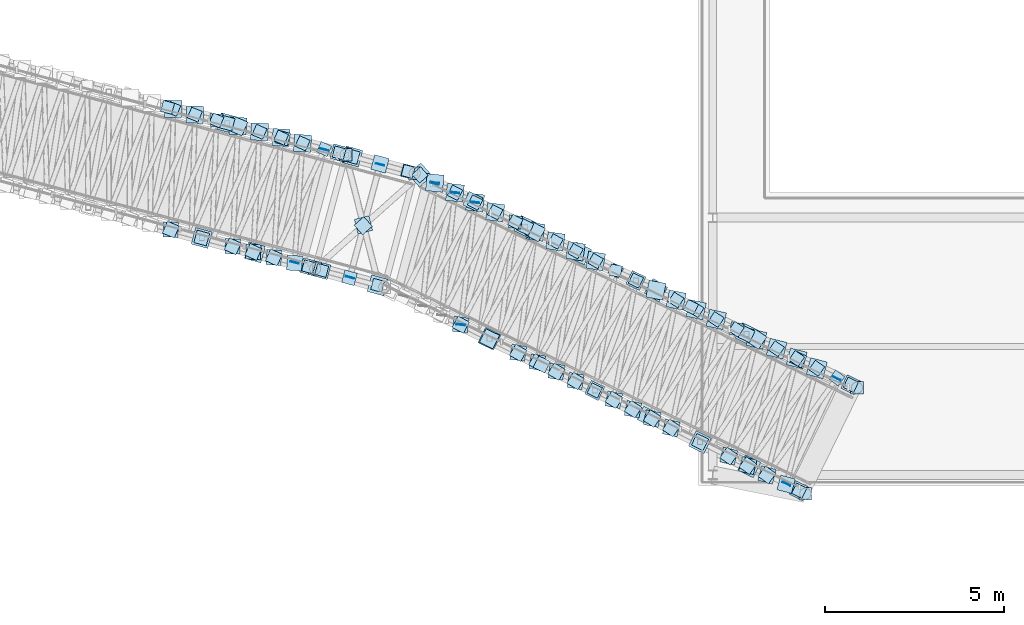
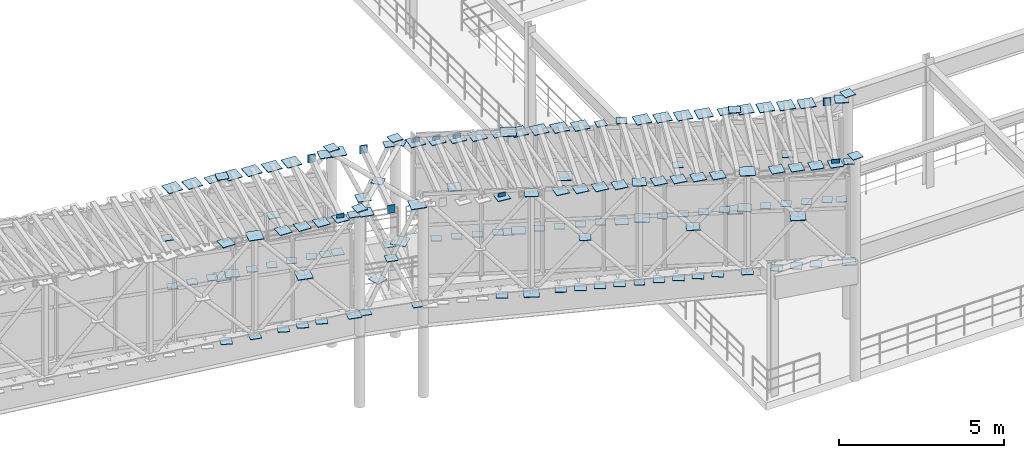
# One storey, part 100 of 144: 151 plates.
"""IFC4 building model written with IfcOpenShell, lengths in metres."""

from ifc_helpers import new_model, si_unit, direction, frame, origin, origin_2d, place, context, subcontext, project, spatial, rectangle, extrude, material, layer, layer_set, type_object, element, save


model = new_model("IFC4")

# Units and contexts
model_context = context("Model", 3, precision=1e-05, world=origin(), true_north=direction((0.0, 1.0)))
body_context = subcontext(model_context, "Body", "Model", "MODEL_VIEW")
ifc_project = project(units=[si_unit("LENGTHUNIT", "METRE"), si_unit("AREAUNIT", "SQUARE_METRE"), si_unit("VOLUMEUNIT", "CUBIC_METRE"), si_unit("PLANEANGLEUNIT", "RADIAN"), si_unit("MASSUNIT", "GRAM", prefix="KILO")], contexts=[model_context])

# Site, building, storey
site_placement = place(None, origin())
site = spatial("IfcSite", under=ifc_project, at=site_placement, CompositionType="ELEMENT")
building_placement = place(site_placement, origin())
building = spatial("IfcBuilding", under=site, at=building_placement, Name="Cinderbank Siding Concert Hall", CompositionType="ELEMENT")
storey_placement = place(building_placement, frame((0.0, 0.0, 5.39990234375)))
storey = spatial("IfcBuildingStorey", under=building, at=storey_placement, Name="L02", CompositionType="ELEMENT", Elevation=5.39990234375)

# Plates
ifc_material = material(Name="Structural steel welded plate section AS/NZS 3679.2 / AS/NZS 3678 Grade 350 (340 MPa)", Category="steel")
ifc_layer_1 = layer(ifc_material, 0.02490234375)
ifc_layer_set_1 = layer_set([ifc_layer_1], Name="Structural steel welded plate section AS/NZS 3679.2 / AS/NZS 3678 Grade 350 (340 MPa)")
plate_type_1 = type_object("IfcPlateType", Name="GP-01 Steel Gusset Cap Plate 480x480x25", PredefinedType="SHEET", material=ifc_layer_set_1)
for number, where, z_axis, x_axis, name in (
    (1, (104.811767578125, 98.443359375, 3.1376953125), (0.0, 0.0, 1.0), (0.966376079321, -0.257132793155, 0.0), "L02 Steel Node Gusset Plate GP-01 #440"),
    (2, (104.09912109375, 95.23095703125, 6.837646484375), (0.0, 0.0, 1.0), (0.965427149561, -0.260673011437, 0.0), "L02 Steel Node Gusset Plate GP-01 #452"),
    (3, (105.585205078125, 94.829833984375, 5.112060546875), (0.0, 0.0, 1.0), (0.965427149561, -0.260673011437, 0.0), "L02 Steel Node Gusset Plate GP-01 #456"),
    (4, (103.304443359375, 98.84423828125, 6.698486328125), (0.0, 0.0, 1.0), (-0.020942419883, -0.999780683475, 0.0), "L02 Steel Node Gusset Plate GP-01 #504"),
    (5, (103.9072265625, 98.683837890625, 6.7421875), (0.0, 0.0, 1.0), (-0.028619491372, -0.999590378462, 0.0), "L02 Steel Node Gusset Plate GP-01 #508"),
    (6, (105.11328125, 98.363037109375, 6.829345703125), (0.0, 0.0, 1.0), (-0.043968118318, -0.999032934678, 0.0), "L02 Steel Node Gusset Plate GP-01 #512"),
    (7, (105.71630859375, 98.20263671875, 6.873046875), (0.0, 0.0, 1.0), (-0.05163876861, -0.998665828782, 0.0), "L02 Steel Node Gusset Plate GP-01 #516"),
    (8, (106.319091796875, 98.042236328125, 6.916748046875), (0.0, 0.0, 1.0), (-0.059306373576, -0.998239827924, 0.0), "L02 Steel Node Gusset Plate GP-01 #520"),
    (9, (106.922119140625, 97.8818359375, 6.96044921875), (0.0, 0.0, 1.0), (-0.067144621099, -0.997743253476, 0.0), "L02 Steel Node Gusset Plate GP-01 #524"),
    (10, (108.3115234375, 97.511962890625, 7.07763671875), (0.0, 0.0, 1.0), (0.96601611233, -0.258481857621, 0.0), "L02 Steel Node Gusset Plate GP-01 #528"),
    (11, (109.0224609375, 93.9052734375, 7.07763671875), (0.0, 0.0, 1.0), (0.965880639132, -0.25898762702, 0.0), "L02 Steel Node Gusset Plate GP-01 #532"),
    (12, (110.210693359375, 96.99560546875, 3.427734375), (0.0, 0.0, 1.0), (0.745941145424, 0.666011867434, 0.0), "L02 Steel Node Gusset Plate GP-01 #536"),
    (13, (113.154052734375, 95.543212890625, 7.317626953125), (0.0, 0.0, 1.0), (0.899710196736, -0.436487756861, 0.0), "L02 Steel Node Gusset Plate GP-01 #540"),
    (14, (114.69140625, 94.797607421875, 5.59814453125), (0.0, 0.0, 1.0), (0.899710196736, -0.436487756861, 0.0), "L02 Steel Node Gusset Plate GP-01 #544"),
    (15, (119.342041015625, 92.541748046875, 4.09765625), (0.0, 0.0, 1.0), (0.899710196736, -0.436487756861, 0.0), "L02 Steel Node Gusset Plate GP-01 #548"),
    (16, (112.15185546875, 92.41064453125, 3.61767578125), (0.0, 0.0, 1.0), (0.897797101061, -0.440409315668, 0.0), "L02 Steel Node Gusset Plate GP-01 #556"),
    (17, (118.043212890625, 89.520263671875, 7.797607421875), (0.0, 0.0, 1.0), (0.897797101061, -0.440409315668, 0.0), "L02 Steel Node Gusset Plate GP-01 #560"),
    (18, (119.421875, 88.843994140625, 6.072021484375), (0.0, 0.0, 1.0), (0.897797101061, -0.440409315668, 0.0), "L02 Steel Node Gusset Plate GP-01 #564"),
    (19, (110.62255859375, 96.77099609375, 7.09130859375), (0.0, 0.0, 1.0), (-0.099840745983, -0.995003429864, 0.0), "L02 Steel Node Gusset Plate GP-01 #568"),
    (20, (111.18505859375, 96.498291015625, 7.135009765625), (0.0, 0.0, 1.0), (-0.107825841986, -0.994169798274, 0.0), "L02 Steel Node Gusset Plate GP-01 #572"),
    (21, (111.74755859375, 96.225341796875, 7.178466796875), (0.0, 0.0, 1.0), (-0.115977344809, -0.993251859042, 0.0), "L02 Steel Node Gusset Plate GP-01 #576"),
    (22, (112.310302734375, 95.952392578125, 7.22216796875), (0.0, 0.0, 1.0), (-0.123947858395, -0.992288732375, 0.0), "L02 Steel Node Gusset Plate GP-01 #580"),
    (23, (113.435302734375, 95.40673828125, 7.309326171875), (0.0, 0.0, 1.0), (-0.140210030757, -0.990121784063, 0.0), "L02 Steel Node Gusset Plate GP-01 #584"),
    (24, (113.997802734375, 95.134033203125, 7.35302734375), (0.0, 0.0, 1.0), (-0.14832723834, -0.988938334967, 0.0), "L02 Steel Node Gusset Plate GP-01 #588"),
    (25, (114.560302734375, 94.861083984375, 7.396728515625), (0.0, 0.0, 1.0), (-0.15643446504, -0.987688340595, 0.0), "L02 Steel Node Gusset Plate GP-01 #592"),
    (26, (115.122802734375, 94.588134765625, 7.4404296875), (0.0, 0.0, 1.0), (-0.16470331719, -0.986343153931, 0.0), "L02 Steel Node Gusset Plate GP-01 #596"),
    (27, (116.810546875, 93.76953125, 3.93115234375), (0.0, 0.0, 1.0), (0.521307545528, 0.853368878608, 0.0), "L02 Steel Node Gusset Plate GP-01 #600"),
    (28, (116.810546875, 93.76953125, 7.5712890625), (0.0, 0.0, 1.0), (-0.189266824235, -0.98192569436, 0.0), "L02 Steel Node Gusset Plate GP-01 #604"),
    (29, (117.373046875, 93.496826171875, 7.614990234375), (0.0, 0.0, 1.0), (-0.197486247774, -0.980305657405, 0.0), "L02 Steel Node Gusset Plate GP-01 #608"),
    (30, (117.935546875, 93.223876953125, 7.658447265625), (0.0, 0.0, 1.0), (-0.205691811048, -0.978616819224, 0.0), "L02 Steel Node Gusset Plate GP-01 #612"),
    (31, (118.498291015625, 92.950927734375, 7.7021484375), (0.0, 0.0, 1.0), (-0.214053429014, -0.976821953852, 0.0), "L02 Steel Node Gusset Plate GP-01 #616"),
    (32, (119.623291015625, 92.4052734375, 7.78955078125), (0.0, 0.0, 1.0), (-0.230389426677, -0.973098510982, 0.0), "L02 Steel Node Gusset Plate GP-01 #620"),
    (33, (120.185791015625, 92.132568359375, 7.833251953125), (0.0, 0.0, 1.0), (-0.238702948851, -0.971092633177, 0.0), "L02 Steel Node Gusset Plate GP-01 #624"),
    (34, (120.748291015625, 91.859619140625, 7.876708984375), (0.0, 0.0, 1.0), (-0.246999012723, -0.969015731407, 0.0), "L02 Steel Node Gusset Plate GP-01 #628"),
    (35, (121.310791015625, 91.586669921875, 7.92041015625), (0.0, 0.0, 1.0), (-0.255108257352, -0.966912497091, 0.0), "L02 Steel Node Gusset Plate GP-01 #632"),
):
    element("IfcPlate", number, at=place(storey_placement, frame(where, z_axis=z_axis, x_axis=x_axis)), inside=storey, type_object=plate_type_1, Name=name, PredefinedType="SHEET", context=body_context, shape_type="SweptSolid", body=[
        extrude(rectangle(XDim=0.47998046875, YDim=0.47998046875, at=origin_2d()), origin(), (0.0, 0.0, 1.0), 0.02490234375),
    ])
ifc_layer_2 = layer(ifc_material, 0.02197265625)
ifc_layer_set_2 = layer_set([ifc_layer_2], Name="Structural steel welded plate section AS/NZS 3679.2 / AS/NZS 3678 Grade 350 (340 MPa)")
plate_type_2 = type_object("IfcPlateType", Name="GP-02 Steel Gusset Cap Plate 420x420x22", PredefinedType="SHEET", material=ifc_layer_set_2)
for number, where, z_axis, x_axis, name in (
    (36, (107.9443359375, 97.60986328125, 7.06591796875), (0.0, 0.0, 1.0), (0.966376079321, -0.257132793155, 0.0), "L02 Steel Node Gusset Plate GP-02 #441"),
    (37, (107.090576171875, 94.423583984375, 3.365234375), (0.0, 0.0, 1.0), (0.965427149561, -0.260673011437, 0.0), "L02 Steel Node Gusset Plate GP-02 #457"),
    (38, (103.2333984375, 95.464599609375, 6.74365234375), (0.0, 0.0, 1.0), (-0.020942419883, -0.999780683475, 0.0), "L02 Steel Node Gusset Plate GP-02 #505"),
    (39, (105.11328125, 98.363037109375, 3.19091796875), (0.0, 0.0, 1.0), (0.392337116604, 0.919821497322, 0.0), "L02 Steel Node Gusset Plate GP-02 #509"),
    (40, (104.965087890625, 94.997314453125, 6.87451171875), (0.0, 0.0, 1.0), (-0.043968118318, -0.999032934678, 0.0), "L02 Steel Node Gusset Plate GP-02 #513"),
    (41, (105.542236328125, 94.841552734375, 6.918212890625), (0.0, 0.0, 1.0), (-0.05163876861, -0.998665828782, 0.0), "L02 Steel Node Gusset Plate GP-02 #517"),
    (42, (106.119384765625, 94.685546875, 6.9619140625), (0.0, 0.0, 1.0), (-0.059306373576, -0.998239827924, 0.0), "L02 Steel Node Gusset Plate GP-02 #521"),
    (43, (106.69677734375, 94.52978515625, 7.005615234375), (0.0, 0.0, 1.0), (-0.067144621099, -0.997743253476, 0.0), "L02 Steel Node Gusset Plate GP-02 #525"),
    (44, (109.088134765625, 97.30419921875, 5.242919921875), (0.0, 0.0, 1.0), (0.96601611233, -0.258481857621, 0.0), "L02 Steel Node Gusset Plate GP-02 #529"),
    (45, (107.45751953125, 94.32470703125, 7.0791015625), (0.0, 0.0, 1.0), (0.965880639132, -0.25898762702, 0.0), "L02 Steel Node Gusset Plate GP-02 #533"),
    (46, (108.625732421875, 95.598388671875, 3.42919921875), (0.0, 0.0, 1.0), (0.245814952628, -0.969316774365, 0.0), "L02 Steel Node Gusset Plate GP-02 #537"),
    (47, (111.683349609375, 96.256591796875, 5.36669921875), (0.0, 0.0, 1.0), (0.899710196736, -0.436487756861, 0.0), "L02 Steel Node Gusset Plate GP-02 #541"),
    (48, (116.248046875, 94.04248046875, 3.859130859375), (0.0, 0.0, 1.0), (0.899710196736, -0.436487756861, 0.0), "L02 Steel Node Gusset Plate GP-02 #545"),
    (49, (122.264892578125, 91.123779296875, 8.02587890625), (0.0, 0.0, 1.0), (0.899710196736, -0.436487756861, 0.0), "L02 Steel Node Gusset Plate GP-02 #549"),
    (50, (112.15185546875, 92.41064453125, 7.319091796875), (0.0, 0.0, 1.0), (0.897797101061, -0.440409315668, 0.0), "L02 Steel Node Gusset Plate GP-02 #553"),
    (51, (115.097412109375, 90.965576171875, 7.55908203125), (0.0, 0.0, 1.0), (0.897797101061, -0.440409315668, 0.0), "L02 Steel Node Gusset Plate GP-02 #557"),
    (52, (116.56103515625, 90.247314453125, 5.840087890625), (0.0, 0.0, 1.0), (0.897797101061, -0.440409315668, 0.0), "L02 Steel Node Gusset Plate GP-02 #561"),
    (53, (120.818359375, 88.15869140625, 4.3251953125), (0.0, 0.0, 1.0), (0.897797101061, -0.440409315668, 0.0), "L02 Steel Node Gusset Plate GP-02 #565"),
    (54, (111.348388671875, 92.804931640625, 7.2236328125), (0.0, 0.0, 1.0), (-0.115977344809, -0.993251859042, 0.0), "L02 Steel Node Gusset Plate GP-02 #577"),
    (55, (113.435302734375, 95.40673828125, 3.6708984375), (0.0, 0.0, 1.0), (0.476238203668, 0.879316310191, 0.0), "L02 Steel Node Gusset Plate GP-02 #581"),
    (56, (112.955078125, 92.0166015625, 7.3544921875), (0.0, 0.0, 1.0), (-0.140210030757, -0.990121784063, 0.0), "L02 Steel Node Gusset Plate GP-02 #585"),
    (57, (113.49072265625, 91.75390625, 7.398193359375), (0.0, 0.0, 1.0), (-0.14832723834, -0.988938334967, 0.0), "L02 Steel Node Gusset Plate GP-02 #589"),
    (58, (114.0263671875, 91.490966796875, 7.44189453125), (0.0, 0.0, 1.0), (-0.15643446504, -0.987688340595, 0.0), "L02 Steel Node Gusset Plate GP-02 #593"),
    (59, (114.56201171875, 91.228271484375, 7.485595703125), (0.0, 0.0, 1.0), (-0.16470331719, -0.986343153931, 0.0), "L02 Steel Node Gusset Plate GP-02 #597"),
    (60, (115.633056640625, 90.70263671875, 7.57275390625), (0.0, 0.0, 1.0), (-0.1810341173, -0.983476816388, 0.0), "L02 Steel Node Gusset Plate GP-02 #601"),
    (61, (116.168701171875, 90.43994140625, 7.616455078125), (0.0, 0.0, 1.0), (-0.189266824235, -0.98192569436, 0.0), "L02 Steel Node Gusset Plate GP-02 #605"),
    (62, (116.704345703125, 90.17724609375, 7.659912109375), (0.0, 0.0, 1.0), (-0.197486247774, -0.980305657405, 0.0), "L02 Steel Node Gusset Plate GP-02 #609"),
    (63, (117.239990234375, 89.914306640625, 7.70361328125), (0.0, 0.0, 1.0), (-0.205691811048, -0.978616819224, 0.0), "L02 Steel Node Gusset Plate GP-02 #613"),
    (64, (119.623291015625, 92.4052734375, 4.15087890625), (0.0, 0.0, 1.0), (0.557165515219, 0.830401462336, 0.0), "L02 Steel Node Gusset Plate GP-02 #617"),
    (65, (118.8466796875, 89.126220703125, 7.834716796875), (0.0, 0.0, 1.0), (-0.230389426677, -0.973098510982, 0.0), "L02 Steel Node Gusset Plate GP-02 #621"),
    (66, (119.382080078125, 88.86328125, 7.878173828125), (0.0, 0.0, 1.0), (-0.238702948851, -0.971092633177, 0.0), "L02 Steel Node Gusset Plate GP-02 #625"),
    (67, (119.917724609375, 88.6005859375, 7.921875), (0.0, 0.0, 1.0), (-0.246999012723, -0.969015731407, 0.0), "L02 Steel Node Gusset Plate GP-02 #629"),
    (68, (120.453369140625, 88.337890625, 7.965576171875), (0.0, 0.0, 1.0), (-0.255108257352, -0.966912497091, 0.0), "L02 Steel Node Gusset Plate GP-02 #633"),
):
    element("IfcPlate", number, at=place(storey_placement, frame(where, z_axis=z_axis, x_axis=x_axis)), inside=storey, type_object=plate_type_2, Name=name, PredefinedType="SHEET", context=body_context, shape_type="SweptSolid", body=[
        extrude(rectangle(XDim=0.419921875, YDim=0.419921875, at=origin_2d()), origin(), (0.0, 0.0, 1.0), 0.02197265625),
    ])
ifc_layer_3 = layer(ifc_material, 0.02001953125)
ifc_layer_set_3 = layer_set([ifc_layer_3], Name="Structural steel welded plate section AS/NZS 3679.2 / AS/NZS 3678 Grade 350 (340 MPa)")
plate_type_3 = type_object("IfcPlateType", Name="GP-03 Steel Gusset Cap Plate 360x360x20", PredefinedType="SHEET", material=ifc_layer_set_3)
for number, where, z_axis, x_axis, name in (
    (69, (108.1279296875, 97.56103515625, 7.27001953125), (0.0, 0.0, 1.0), (1.0, 0.0, 0.0), "L02 Column End Cap Plate GP-03 COL-BRL-07-L02"),
    (70, (107.27392578125, 94.3740234375, 7.27001953125), (0.0, 0.0, 1.0), (1.0, 0.0, 0.0), "L02 Column End Cap Plate GP-03 COL-BRR-07-L02"),
    (71, (110.06005859375, 97.0439453125, 7.27001953125), (0.0, 0.0, 1.0), (1.0, 0.0, 0.0), "L02 Column End Cap Plate GP-03 COL-BRL-08-L02"),
    (72, (122.43603515625, 91.041015625, 8.22998046875), (0.0, 0.0, 1.0), (1.0, 0.0, 0.0), "L02 Column End Cap Plate GP-03 COL-BRL-09-L02"),
    (73, (120.989013671875, 88.074951171875, 8.22998046875), (0.0, 0.0, 1.0), (1.0, 0.0, 0.0), "L02 Column End Cap Plate GP-03 COL-BRR-09-L02"),
    (74, (104.811767578125, 98.443359375, 6.840087890625), (0.0, 0.0, 1.0), (0.966376079321, -0.257132793155, 0.0), "L02 Steel Node Gusset Plate GP-03 #438"),
    (75, (106.3681640625, 98.029296875, 5.114501953125), (0.0, 0.0, 1.0), (0.966376079321, -0.257132793155, 0.0), "L02 Steel Node Gusset Plate GP-03 #442"),
    (76, (104.09912109375, 95.23095703125, 3.14013671875), (0.0, 0.0, 1.0), (0.965427149561, -0.260673011437, 0.0), "L02 Steel Node Gusset Plate GP-03 #454"),
    (77, (103.2333984375, 95.464599609375, 3.1044921875), (0.0, 0.0, 1.0), (0.385261895248, 0.922807277859, 0.0), "L02 Steel Node Gusset Plate GP-03 #506"),
    (78, (104.51025390625, 98.5234375, 6.788330078125), (0.0, 0.0, 1.0), (-0.036294875066, -0.999341123963, 0.0), "L02 Steel Node Gusset Plate GP-03 #510"),
    (79, (104.965087890625, 94.997314453125, 3.235595703125), (0.0, 0.0, 1.0), (0.40625825606, 0.913758299214, 0.0), "L02 Steel Node Gusset Plate GP-03 #514"),
    (80, (105.542236328125, 94.841552734375, 3.279296875), (0.0, 0.0, 1.0), (0.413263367815, 0.910611546611, 0.0), "L02 Steel Node Gusset Plate GP-03 #518"),
    (81, (106.119384765625, 94.685546875, 3.32275390625), (0.0, 0.0, 1.0), (0.420085728412, 0.907484424541, 0.0), "L02 Steel Node Gusset Plate GP-03 #522"),
    (82, (108.3115234375, 97.511962890625, 3.380126953125), (0.0, 0.0, 1.0), (0.96601611233, -0.258481857621, 0.0), "L02 Steel Node Gusset Plate GP-03 #526"),
    (83, (109.87646484375, 97.093017578125, 3.380126953125), (0.0, 0.0, 1.0), (0.96601611233, -0.258481857621, 0.0), "L02 Steel Node Gusset Plate GP-03 #530"),
    (84, (108.234130859375, 94.11669921875, 5.243896484375), (0.0, 0.0, 1.0), (0.965880639132, -0.25898762702, 0.0), "L02 Steel Node Gusset Plate GP-03 #534"),
    (85, (108.6181640625, 95.57373046875, 7.080078125), (0.0, 0.0, 1.0), (0.745941145424, 0.666011867434, 0.0), "L02 Steel Node Gusset Plate GP-03 #538"),
    (86, (113.154052734375, 95.543212890625, 3.6201171875), (0.0, 0.0, 1.0), (0.899710196736, -0.436487756861, 0.0), "L02 Steel Node Gusset Plate GP-03 #542"),
    (87, (119.342041015625, 92.541748046875, 7.800048828125), (0.0, 0.0, 1.0), (0.899710196736, -0.436487756861, 0.0), "L02 Steel Node Gusset Plate GP-03 #546"),
    (88, (120.794189453125, 91.83740234375, 6.074462890625), (0.0, 0.0, 1.0), (0.899710196736, -0.436487756861, 0.0), "L02 Steel Node Gusset Plate GP-03 #550"),
    (89, (113.615478515625, 91.692626953125, 5.60107421875), (0.0, 0.0, 1.0), (0.897797101061, -0.440409315668, 0.0), "L02 Steel Node Gusset Plate GP-03 #558"),
    (90, (118.043212890625, 89.520263671875, 4.10009765625), (0.0, 0.0, 1.0), (0.897797101061, -0.440409315668, 0.0), "L02 Steel Node Gusset Plate GP-03 #562"),
    (91, (111.348388671875, 92.804931640625, 3.58447265625), (0.0, 0.0, 1.0), (0.468546684981, 0.88343873811, 0.0), "L02 Steel Node Gusset Plate GP-03 #578"),
    (92, (112.872802734375, 95.6796875, 7.268310546875), (0.0, 0.0, 1.0), (-0.132083388496, -0.991238608249, 0.0), "L02 Steel Node Gusset Plate GP-03 #582"),
    (93, (112.955078125, 92.0166015625, 3.715576171875), (0.0, 0.0, 1.0), (0.491511855915, 0.870870883366, 0.0), "L02 Steel Node Gusset Plate GP-03 #586"),
    (94, (113.49072265625, 91.75390625, 3.75927734375), (0.0, 0.0, 1.0), (0.499092826328, 0.866548527613, 0.0), "L02 Steel Node Gusset Plate GP-03 #590"),
    (95, (114.0263671875, 91.490966796875, 3.802734375), (0.0, 0.0, 1.0), (0.506485305836, 0.862248592329, 0.0), "L02 Steel Node Gusset Plate GP-03 #594"),
    (96, (114.56201171875, 91.228271484375, 3.846435546875), (0.0, 0.0, 1.0), (0.513990463377, 0.857795898543, 0.0), "L02 Steel Node Gusset Plate GP-03 #598"),
    (97, (115.633056640625, 90.70263671875, 3.93359375), (0.0, 0.0, 1.0), (0.528586500185, 0.848879444811, 0.0), "L02 Steel Node Gusset Plate GP-03 #602"),
    (98, (116.168701171875, 90.43994140625, 3.977294921875), (0.0, 0.0, 1.0), (0.535826794979, 0.844327925502, 0.0), "L02 Steel Node Gusset Plate GP-03 #606"),
    (99, (116.704345703125, 90.17724609375, 4.02099609375), (0.0, 0.0, 1.0), (0.543027900367, 0.839714653571, 0.0), "L02 Steel Node Gusset Plate GP-03 #610"),
    (100, (117.239990234375, 89.914306640625, 4.064697265625), (0.0, 0.0, 1.0), (0.550189289674, 0.835039966425, 0.0), "L02 Steel Node Gusset Plate GP-03 #614"),
    (101, (119.060791015625, 92.67822265625, 7.748291015625), (0.0, 0.0, 1.0), (-0.222229226251, -0.974994446651, 0.0), "L02 Steel Node Gusset Plate GP-03 #618"),
    (102, (118.8466796875, 89.126220703125, 4.195556640625), (0.0, 0.0, 1.0), (0.571143442153, 0.820850271661, 0.0), "L02 Steel Node Gusset Plate GP-03 #622"),
    (103, (119.382080078125, 88.86328125, 4.2392578125), (0.0, 0.0, 1.0), (0.578000058462, 0.816036722469, 0.0), "L02 Steel Node Gusset Plate GP-03 #626"),
    (104, (119.917724609375, 88.6005859375, 4.28271484375), (0.0, 0.0, 1.0), (0.584674524674, 0.811267958321, 0.0), "L02 Steel Node Gusset Plate GP-03 #630"),
):
    element("IfcPlate", number, at=place(storey_placement, frame(where, z_axis=z_axis, x_axis=x_axis)), inside=storey, type_object=plate_type_3, Name=name, PredefinedType="SHEET", context=body_context, shape_type="SweptSolid", body=[
        extrude(rectangle(XDim=0.360107421875, YDim=0.360107421875, at=origin_2d()), origin(), (0.0, 0.0, 1.0), 0.02001953125),
    ])
ifc_layer_4 = layer(ifc_material, 0.02099609375)
ifc_layer_set_4 = layer_set([ifc_layer_4], Name="Structural steel welded plate section AS/NZS 3679.2 / AS/NZS 3678 Grade 350 (340 MPa)")
plate_type_4 = type_object("IfcPlateType", Name="GP-04 Steel Gusset Cap Plate 320x320x21", PredefinedType="SHEET", material=ifc_layer_set_4)
for number, where, z_axis, x_axis, name in (
    (105, (103.143310546875, 98.88720703125, 4.88037109375), (0.0, 0.0, 1.0), (0.966376079321, -0.257132793155, 0.0), "L02 Steel Node Gusset Plate GP-04 #439"),
    (106, (107.9443359375, 97.60986328125, 3.3662109375), (0.0, 0.0, 1.0), (0.966376079321, -0.257132793155, 0.0), "L02 Steel Node Gusset Plate GP-04 #443"),
    (107, (107.090576171875, 94.423583984375, 7.065673828125), (0.0, 0.0, 1.0), (0.965427149561, -0.260673011437, 0.0), "L02 Steel Node Gusset Plate GP-04 #455"),
    (108, (103.304443359375, 98.84423828125, 3.060546875), (0.0, 0.0, 1.0), (0.370881630624, 0.928680147341, 0.0), "L02 Steel Node Gusset Plate GP-04 #499"),
    (109, (103.9072265625, 98.683837890625, 3.10400390625), (0.0, 0.0, 1.0), (0.378163953596, 0.92573863709, 0.0), "L02 Steel Node Gusset Plate GP-04 #503"),
    (110, (104.51025390625, 98.5234375, 3.147705078125), (0.0, 0.0, 1.0), (0.385261895248, 0.922807277859, 0.0), "L02 Steel Node Gusset Plate GP-04 #507"),
    (111, (105.71630859375, 98.20263671875, 3.235107421875), (0.0, 0.0, 1.0), (0.39938920041, 0.91678147156, 0.0), "L02 Steel Node Gusset Plate GP-04 #511"),
    (112, (106.319091796875, 98.042236328125, 3.27880859375), (0.0, 0.0, 1.0), (0.40625825606, 0.913758299214, 0.0), "L02 Steel Node Gusset Plate GP-04 #515"),
    (113, (106.922119140625, 97.8818359375, 3.322265625), (0.0, 0.0, 1.0), (0.413263367815, 0.910611546611, 0.0), "L02 Steel Node Gusset Plate GP-04 #519"),
    (114, (107.52490234375, 97.721435546875, 3.365966796875), (0.0, 0.0, 1.0), (0.420085728412, 0.907484424541, 0.0), "L02 Steel Node Gusset Plate GP-04 #523"),
    (115, (109.87646484375, 97.093017578125, 7.07958984375), (0.0, 0.0, 1.0), (0.96601611233, -0.258481857621, 0.0), "L02 Steel Node Gusset Plate GP-04 #527"),
    (116, (107.45751953125, 94.32470703125, 3.379638671875), (0.0, 0.0, 1.0), (0.965880639132, -0.25898762702, 0.0), "L02 Steel Node Gusset Plate GP-04 #531"),
    (117, (109.0224609375, 93.9052734375, 3.379638671875), (0.0, 0.0, 1.0), (0.965880639132, -0.25898762702, 0.0), "L02 Steel Node Gusset Plate GP-04 #535"),
    (118, (110.210693359375, 96.99560546875, 7.07958984375), (0.0, 0.0, 1.0), (0.745941145424, 0.666011867434, 0.0), "L02 Steel Node Gusset Plate GP-04 #539"),
    (119, (116.248046875, 94.04248046875, 7.5595703125), (0.0, 0.0, 1.0), (0.899710196736, -0.436487756861, 0.0), "L02 Steel Node Gusset Plate GP-04 #543"),
    (120, (117.785400390625, 93.296630859375, 5.840087890625), (0.0, 0.0, 1.0), (0.899710196736, -0.436487756861, 0.0), "L02 Steel Node Gusset Plate GP-04 #547"),
    (121, (122.264892578125, 91.123779296875, 4.326416015625), (0.0, 0.0, 1.0), (0.899710196736, -0.436487756861, 0.0), "L02 Steel Node Gusset Plate GP-04 #551"),
    (122, (115.097412109375, 90.965576171875, 3.859619140625), (0.0, 0.0, 1.0), (0.897797101061, -0.440409315668, 0.0), "L02 Steel Node Gusset Plate GP-04 #559"),
    (123, (120.818359375, 88.15869140625, 8.025634765625), (0.0, 0.0, 1.0), (0.897797101061, -0.440409315668, 0.0), "L02 Steel Node Gusset Plate GP-04 #563"),
    (124, (111.18505859375, 96.498291015625, 3.496826171875), (0.0, 0.0, 1.0), (0.444947814477, 0.895556498716, 0.0), "L02 Steel Node Gusset Plate GP-04 #567"),
    (125, (111.74755859375, 96.225341796875, 3.54052734375), (0.0, 0.0, 1.0), (0.452901591366, 0.891560513111, 0.0), "L02 Steel Node Gusset Plate GP-04 #571"),
    (126, (112.310302734375, 95.952392578125, 3.583984375), (0.0, 0.0, 1.0), (0.460664580728, 0.887574303404, 0.0), "L02 Steel Node Gusset Plate GP-04 #575"),
    (127, (112.872802734375, 95.6796875, 3.627685546875), (0.0, 0.0, 1.0), (0.468546684981, 0.88343873811, 0.0), "L02 Steel Node Gusset Plate GP-04 #579"),
    (128, (113.997802734375, 95.134033203125, 3.715087890625), (0.0, 0.0, 1.0), (0.483893454972, 0.87512691893, 0.0), "L02 Steel Node Gusset Plate GP-04 #583"),
    (129, (114.560302734375, 94.861083984375, 3.7587890625), (0.0, 0.0, 1.0), (0.491511855915, 0.870870883366, 0.0), "L02 Steel Node Gusset Plate GP-04 #587"),
    (130, (115.122802734375, 94.588134765625, 3.80224609375), (0.0, 0.0, 1.0), (0.499092826328, 0.866548527613, 0.0), "L02 Steel Node Gusset Plate GP-04 #591"),
    (131, (115.685546875, 94.3154296875, 3.845947265625), (0.0, 0.0, 1.0), (0.506485305836, 0.862248592329, 0.0), "L02 Steel Node Gusset Plate GP-04 #595"),
    (132, (115.685546875, 94.3154296875, 7.486083984375), (0.0, 0.0, 1.0), (-0.172788704766, -0.984958914628, 0.0), "L02 Steel Node Gusset Plate GP-04 #599"),
    (133, (117.373046875, 93.496826171875, 3.976806640625), (0.0, 0.0, 1.0), (0.528586500185, 0.848879444811, 0.0), "L02 Steel Node Gusset Plate GP-04 #603"),
    (134, (117.935546875, 93.223876953125, 4.0205078125), (0.0, 0.0, 1.0), (0.535826794979, 0.844327925502, 0.0), "L02 Steel Node Gusset Plate GP-04 #607"),
    (135, (118.498291015625, 92.950927734375, 4.064208984375), (0.0, 0.0, 1.0), (0.543027900367, 0.839714653571, 0.0), "L02 Steel Node Gusset Plate GP-04 #611"),
    (136, (119.060791015625, 92.67822265625, 4.10791015625), (0.0, 0.0, 1.0), (0.550189289674, 0.835039966425, 0.0), "L02 Steel Node Gusset Plate GP-04 #615"),
    (137, (120.185791015625, 92.132568359375, 4.195068359375), (0.0, 0.0, 1.0), (0.56424674103, 0.825606210755, 0.0), "L02 Steel Node Gusset Plate GP-04 #619"),
    (138, (120.748291015625, 91.859619140625, 4.23876953125), (0.0, 0.0, 1.0), (0.571143442153, 0.820850271661, 0.0), "L02 Steel Node Gusset Plate GP-04 #623"),
    (139, (121.310791015625, 91.586669921875, 4.2822265625), (0.0, 0.0, 1.0), (0.578000058462, 0.816036722469, 0.0), "L02 Steel Node Gusset Plate GP-04 #627"),
    (140, (121.87353515625, 91.31396484375, 4.325927734375), (0.0, 0.0, 1.0), (0.584674524674, 0.811267958321, 0.0), "L02 Steel Node Gusset Plate GP-04 #631"),
):
    element("IfcPlate", number, at=place(storey_placement, frame(where, z_axis=z_axis, x_axis=x_axis)), inside=storey, type_object=plate_type_4, Name=name, PredefinedType="SHEET", context=body_context, shape_type="SweptSolid", body=[
        extrude(rectangle(XDim=0.320068359375, YDim=0.320068359375, at=origin_2d()), origin(), (0.0, 0.0, 1.0), 0.02099609375),
    ])
plate_type_5 = type_object("IfcPlateType", Name="GP-09 Steel Gusset Cap Plate 20x220x280", PredefinedType="SHEET", material=ifc_material)
for number, where, z_axis, x_axis, name in (
    (141, (106.700439453125, 94.544189453125, 6.86669921875), (0.0, 0.0, 1.0), (0.251224776808, 0.96792877399, 0.0), "L02 Bridge Purlin End Cap Plate GP-09 #50"),
    (142, (107.521240234375, 97.706787109375, 6.86669921875), (0.0, 0.0, 1.0), (0.251224776808, 0.96792877399, 0.0), "L02 Bridge Purlin End Cap Plate GP-09 #51"),
    (143, (108.243896484375, 94.12939453125, 6.91015625), (0.0, 0.0, 1.0), (0.258819045103, 0.965925826289, 0.0), "L02 Bridge Purlin End Cap Plate GP-09 #52"),
    (144, (109.090087890625, 97.2880859375, 6.91015625), (0.0, 0.0, 1.0), (0.258819045103, 0.965925826289, 0.0), "L02 Bridge Purlin End Cap Plate GP-09 #53"),
    (145, (110.618408203125, 96.756591796875, 6.95361328125), (0.0, 0.0, 1.0), (0.267070186767, 0.963677080427, 0.0), "L02 Bridge Purlin End Cap Plate GP-09 #55"),
):
    element("IfcPlate", number, at=place(storey_placement, frame(where, z_axis=z_axis, x_axis=x_axis)), inside=storey, type_object=plate_type_5, Name=name, PredefinedType="SHEET", context=body_context, shape_type="SweptSolid", body=[
        extrude(rectangle(XDim=0.02001953125, YDim=0.239990234375, at=origin_2d()), origin(), (0.0, 0.0, 1.0), 0.300048828125),
    ])
for number, where, z_axis, x_axis, name in (
    (146, (110.62255859375, 96.77099609375, 6.9638671875), (0.0, 0.0, 1.0), (-0.099840745983, -0.995003429864, 0.0), "L02 Bridge Roof Brace Cap Plate GP-09 #56"),
    (147, (111.18505859375, 96.498291015625, 7.00732421875), (0.0, 0.0, 1.0), (-0.107825841986, -0.994169798274, 0.0), "L02 Bridge Roof Brace Cap Plate GP-09 #58"),
    (148, (111.74755859375, 96.225341796875, 7.05078125), (0.0, 0.0, 1.0), (-0.115977344809, -0.993251859042, 0.0), "L02 Bridge Roof Brace Cap Plate GP-09 #60"),
    (149, (111.348388671875, 92.804931640625, 7.0947265625), (0.0, 0.0, 1.0), (-0.115977344809, -0.993251859042, 0.0), "L02 Bridge Roof Brace Cap Plate GP-09 #61"),
):
    element("IfcPlate", number, at=place(storey_placement, frame(where, z_axis=z_axis, x_axis=x_axis)), inside=storey, type_object=plate_type_5, Name=name, PredefinedType="SHEET", context=body_context, shape_type="SweptSolid", body=[
        extrude(rectangle(XDim=0.02392578125, YDim=0.239990234375, at=origin_2d()), origin(), (0.0, 0.0, 1.0), 0.280029296875),
    ])
for number, where, z_axis, x_axis, name in (
    (150, (120.4599609375, 88.351318359375, 7.82666015625), (0.0, 0.0, 1.0), (0.4306686211, 0.902510132242, 0.0), "L02 Bridge Purlin End Cap Plate GP-09 #62"),
    (151, (121.866943359375, 91.30029296875, 7.82666015625), (0.0, 0.0, 1.0), (0.4306686211, 0.902510132242, 0.0), "L02 Bridge Purlin End Cap Plate GP-09 #63"),
):
    element("IfcPlate", number, at=place(storey_placement, frame(where, z_axis=z_axis, x_axis=x_axis)), inside=storey, type_object=plate_type_5, Name=name, PredefinedType="SHEET", context=body_context, shape_type="SweptSolid", body=[
        extrude(rectangle(XDim=0.02001953125, YDim=0.239990234375, at=origin_2d()), origin(), (0.0, 0.0, 1.0), 0.300048828125),
    ])

save(model, "model.ifc")
